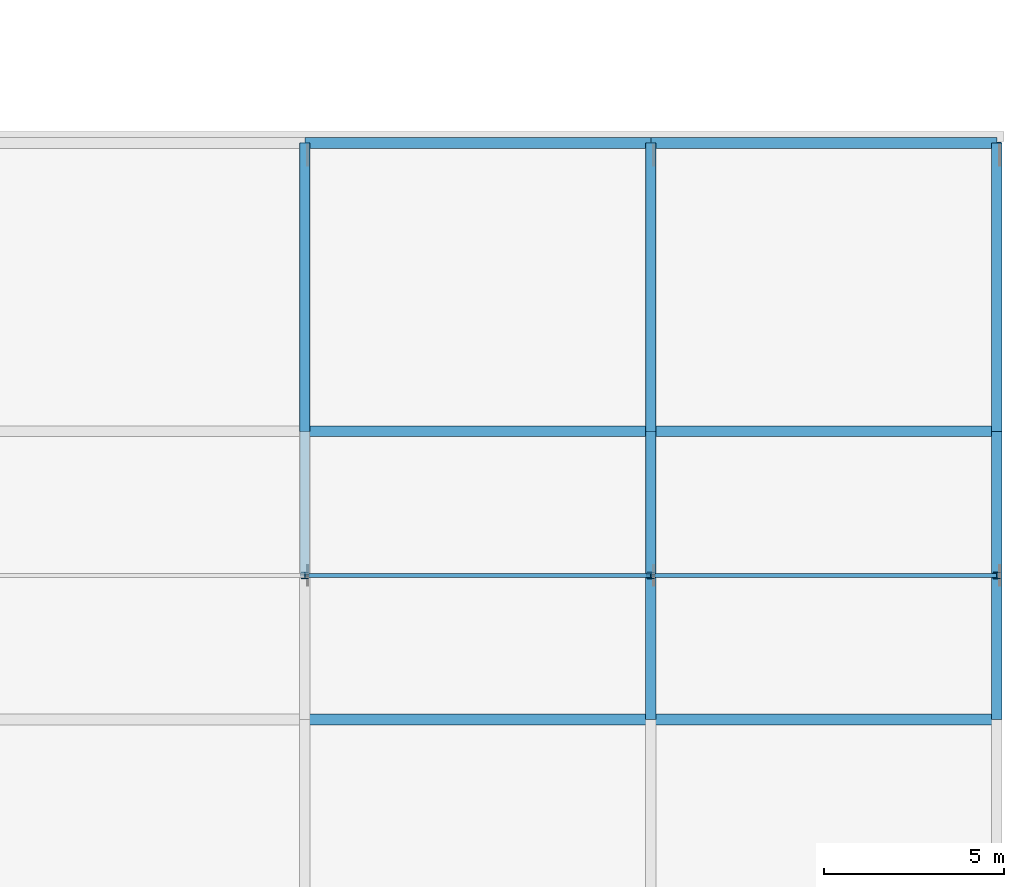
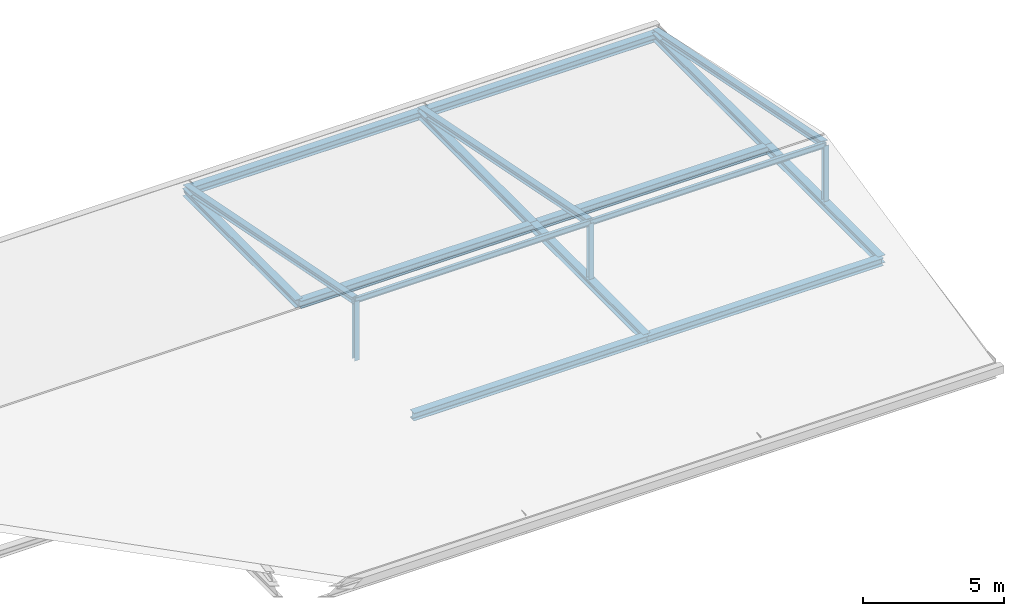
# One storey, part 25 of 34: 13 beams, 6 members.
"""IFC4 building model written with IfcOpenShell, lengths in metres."""

from ifc_helpers import new_model, si_unit, direction, frame, origin, origin_2d, place, context, subcontext, project, spatial, i_section, extrude, material, material_profile, profile_set, type_object, element, save


model = new_model("IFC4")

# Units and contexts
model_context = context("Model", 3, precision=1e-05, world=origin(), true_north=direction((0.0, 1.0)))
body_context = subcontext(model_context, "Body", "Model", "MODEL_VIEW")
ifc_project = project(units=[si_unit("LENGTHUNIT", "METRE"), si_unit("AREAUNIT", "SQUARE_METRE"), si_unit("VOLUMEUNIT", "CUBIC_METRE"), si_unit("PLANEANGLEUNIT", "RADIAN"), si_unit("MASSUNIT", "GRAM", prefix="KILO")], contexts=[model_context])

# Site, building, storey
site_placement = place(None, origin())
site = spatial("IfcSite", under=ifc_project, at=site_placement, CompositionType="ELEMENT")
building_placement = place(site_placement, origin())
building = spatial("IfcBuilding", under=site, at=building_placement, Name="Alderhovde Museum", CompositionType="ELEMENT")
storey_placement = place(building_placement, frame((0.0, 0.0, 25.800048828125)))
storey = spatial("IfcBuildingStorey", under=building, at=storey_placement, Name="L05", CompositionType="ELEMENT", Elevation=25.800048828125)

# Beams
ifc_material_1 = material(Name="Steel S355J2", Category="steel")
ifc_material_profile_1 = material_profile(ifc_material_1, i_section(OverallWidth=0.300048828125, OverallDepth=0.330078125, WebThickness=0.009521484375, FlangeThickness=0.0166015625, FilletRadius=0.027099609375, at=origin_2d()), Name="HEA 340")
ifc_profile_set_1 = profile_set([ifc_material_profile_1], Name="Steel S355J2")
beam_type_1 = type_object("IfcBeamType", Name="BM-HEA340", PredefinedType="BEAM", material=ifc_profile_set_1)
for number, where, z_axis, x_axis, name in (
    (1, (134.39990234375, 88.0, -0.420166015625), (0.0, 1.0, 0.0), (-1.0, 0.0, 0.0), "L05 Vol 5 Roof Tie X=134.4"),
    (2, (144.0, 80.0, -0.420166015625), (0.0, 1.0, 0.0), (-1.0, 0.0, 0.0), "L05 Vol 5 Roof Tie X=144.0"),
    (3, (144.0, 88.0, -0.420166015625), (0.0, 1.0, 0.0), (-1.0, 0.0, 0.0), "L05 Vol 5 Roof Tie X=144.0"),
    (4, (153.60009765625, 80.0, -0.420166015625), (0.0, 1.0, 0.0), (-1.0, 0.0, 0.0), "L05 Vol 5 Roof Tie X=153.6"),
    (5, (153.60009765625, 88.0, -0.420166015625), (0.0, 1.0, 0.0), (-1.0, 0.0, 0.0), "L05 Vol 5 Roof Tie X=153.6"),
):
    element("IfcBeam", number, at=place(storey_placement, frame(where, z_axis=z_axis, x_axis=x_axis)), inside=storey, type_object=beam_type_1, Name=name, PredefinedType="BEAM", context=body_context, shape_type="SweptSolid", body=[
        extrude(i_section(OverallWidth=0.300048828125, OverallDepth=0.330078125, WebThickness=0.009521484375, FlangeThickness=0.0166015625, FilletRadius=0.027099609375, at=origin_2d()), origin(), (0.0, 0.0, 1.0), 8.0),
    ])
for number, where, z_axis, x_axis, name in (
    (6, (134.39990234375, 80.0, -0.420166015625), (1.0, 0.0, 0.0), (0.0, 1.0, 0.0), "L05 Vol 5 Roof Beam Y=80"),
    (7, (144.0, 80.0, -0.420166015625), (1.0, 0.0, 0.0), (0.0, 1.0, 0.0), "L05 Vol 5 Roof Beam Y=80"),
    (8, (134.39990234375, 88.0, -0.420166015625), (1.0, 0.0, 0.0), (0.0, 1.0, 0.0), "L05 Vol 5 Roof Beam Y=88"),
    (9, (144.0, 88.0, -0.420166015625), (1.0, 0.0, 0.0), (0.0, 1.0, 0.0), "L05 Vol 5 Roof Beam Y=88"),
    (10, (134.39990234375, 96.0, -0.420166015625), (1.0, 0.0, 0.0), (0.0, 1.0, 0.0), "L05 Vol 5 Roof Beam Y=96"),
    (11, (144.0, 96.0, -0.420166015625), (1.0, 0.0, 0.0), (0.0, 1.0, 0.0), "L05 Vol 5 Roof Beam Y=96"),
):
    element("IfcBeam", number, at=place(storey_placement, frame(where, z_axis=z_axis, x_axis=x_axis)), inside=storey, type_object=beam_type_1, Name=name, PredefinedType="BEAM", context=body_context, shape_type="SweptSolid", body=[
        extrude(i_section(OverallWidth=0.300048828125, OverallDepth=0.330078125, WebThickness=0.009521484375, FlangeThickness=0.0166015625, FilletRadius=0.027099609375, at=origin_2d()), origin(), (0.0, 0.0, 1.0), 9.60009765625),
    ])
ifc_material_2 = material(Name="Steel S355J2", Category="steel")
ifc_material_profile_2 = material_profile(ifc_material_2, i_section(OverallWidth=0.1201171875, OverallDepth=0.239990234375, WebThickness=0.006103515625, FlangeThickness=0.009765625, FilletRadius=0.014892578125, at=origin_2d()), Name="IPE 240")
ifc_profile_set_2 = profile_set([ifc_material_profile_2], Name="Steel S355J2")
beam_type_2 = type_object("IfcBeamType", Name="BM-IPE240", PredefinedType="BEAM", material=ifc_profile_set_2)
for number, where, z_axis, x_axis, name in (
    (12, (134.39990234375, 84.0, 2.14990234375), (1.0, 0.0, 0.0), (0.0, 1.0, 0.0), "L05 Vol 5 Ridge Beam (134.4 TO 144.0)"),
    (13, (144.0, 84.0, 2.14990234375), (1.0, 0.0, 0.0), (0.0, 1.0, 0.0), "L05 Vol 5 Ridge Beam (144.0 TO 153.6)"),
):
    element("IfcBeam", number, at=place(storey_placement, frame(where, z_axis=z_axis, x_axis=x_axis)), inside=storey, type_object=beam_type_2, Name=name, PredefinedType="BEAM", context=body_context, shape_type="SweptSolid", body=[
        extrude(i_section(OverallWidth=0.1201171875, OverallDepth=0.239990234375, WebThickness=0.006103515625, FlangeThickness=0.009765625, FilletRadius=0.014892578125, at=origin_2d()), origin(), (0.0, 0.0, 1.0), 9.60009765625),
    ])

# Members
ifc_material_3 = material(Name="Steel S355J2", Category="steel")
ifc_material_profile_3 = material_profile(ifc_material_3, i_section(OverallWidth=0.260009765625, OverallDepth=0.25, WebThickness=0.007568359375, FlangeThickness=0.012451171875, FilletRadius=0.02392578125, at=origin_2d()), Name="HEA 260")
ifc_profile_set_3 = profile_set([ifc_material_profile_3], Name="Steel S355J2")
member_type_1 = type_object("IfcMemberType", Name="TR-CH-HEA260", PredefinedType="CHORD", material=ifc_profile_set_3)
for number, where, z_axis, x_axis, name in (
    (14, (134.39990234375, 96.0, -0.25), (0.0, -0.980582210276, 0.196108462057), (1.0, 0.0, 0.0), "L05 Vol 5 North Rafter X=134.4"),
    (15, (144.0, 96.0, -0.25), (0.0, -0.980582210276, 0.196108462057), (1.0, 0.0, 0.0), "L05 Vol 5 North Rafter X=144.0"),
    (16, (153.60009765625, 96.0, -0.25), (0.0, -0.980582210276, 0.196108462057), (1.0, 0.0, 0.0), "L05 Vol 5 North Rafter X=153.6"),
):
    element("IfcMember", number, at=place(storey_placement, frame(where, z_axis=z_axis, x_axis=x_axis)), inside=storey, type_object=member_type_1, Name=name, PredefinedType="CHORD", context=body_context, shape_type="SweptSolid", body=[
        extrude(i_section(OverallWidth=0.260009765625, OverallDepth=0.25, WebThickness=0.007568359375, FlangeThickness=0.012451171875, FilletRadius=0.02392578125, at=origin_2d()), origin(), (0.0, 0.0, 1.0), 12.237548828125),
    ])
ifc_material_4 = material(Name="Steel S355J2", Category="steel")
ifc_material_profile_4 = material_profile(ifc_material_4, i_section(OverallWidth=0.199951171875, OverallDepth=0.18994140625, WebThickness=0.006591796875, FlangeThickness=0.010009765625, FilletRadius=0.01806640625, at=origin_2d()), Name="HEA 200")
ifc_profile_set_4 = profile_set([ifc_material_profile_4], Name="Steel S355J2")
member_type_2 = type_object("IfcMemberType", Name="TR-PS-HEA200", PredefinedType="POST", material=ifc_profile_set_4)
for number, where, z_axis, x_axis, name in (
    (17, (134.39990234375, 84.0, -0.420166015625), (0.0, 0.0, 1.0), (1.0, 0.0, 0.0), "L05 Vol 5 Ridge Post X=134.4"),
    (18, (144.0, 84.0, -0.420166015625), (0.0, 0.0, 1.0), (1.0, 0.0, 0.0), "L05 Vol 5 Ridge Post X=144.0"),
    (19, (153.60009765625, 84.0, -0.420166015625), (0.0, 0.0, 1.0), (1.0, 0.0, 0.0), "L05 Vol 5 Ridge Post X=153.6"),
):
    element("IfcMember", number, at=place(storey_placement, frame(where, z_axis=z_axis, x_axis=x_axis)), inside=storey, type_object=member_type_2, Name=name, PredefinedType="POST", context=body_context, shape_type="SweptSolid", body=[
        extrude(i_section(OverallWidth=0.199951171875, OverallDepth=0.18994140625, WebThickness=0.006591796875, FlangeThickness=0.010009765625, FilletRadius=0.01806640625, at=origin_2d()), origin(), (0.0, 0.0, 1.0), 2.570068359375),
    ])

save(model, "model.ifc")
